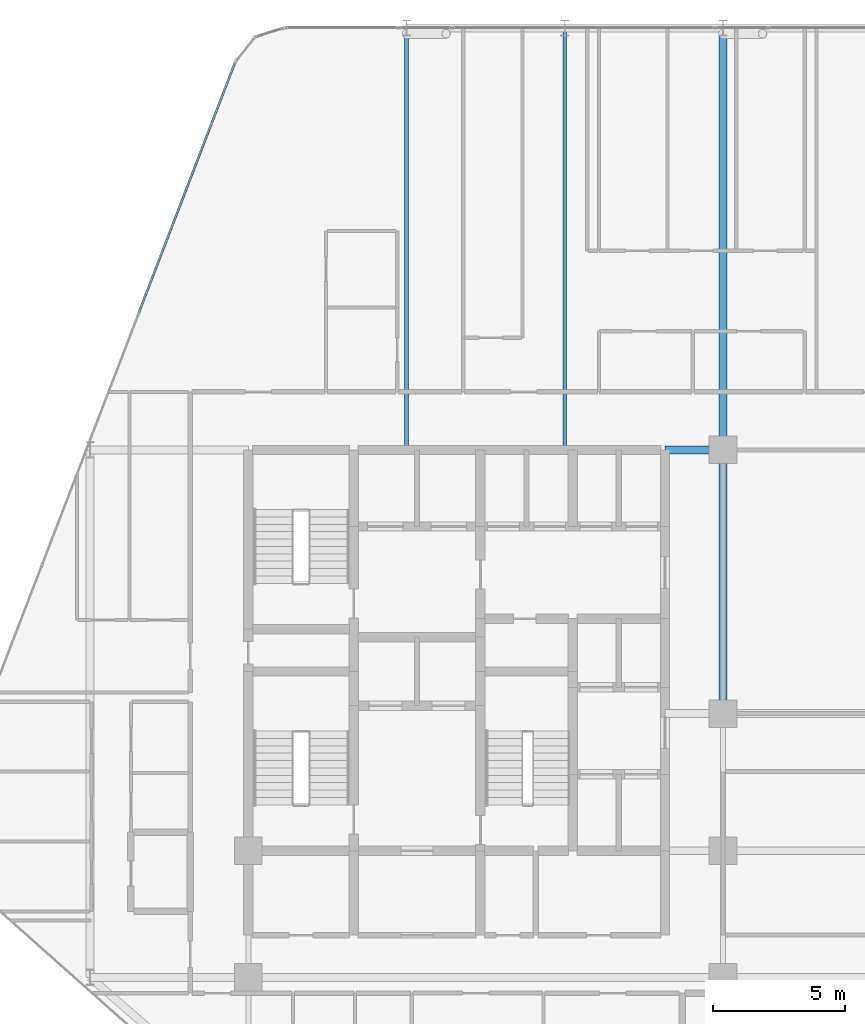
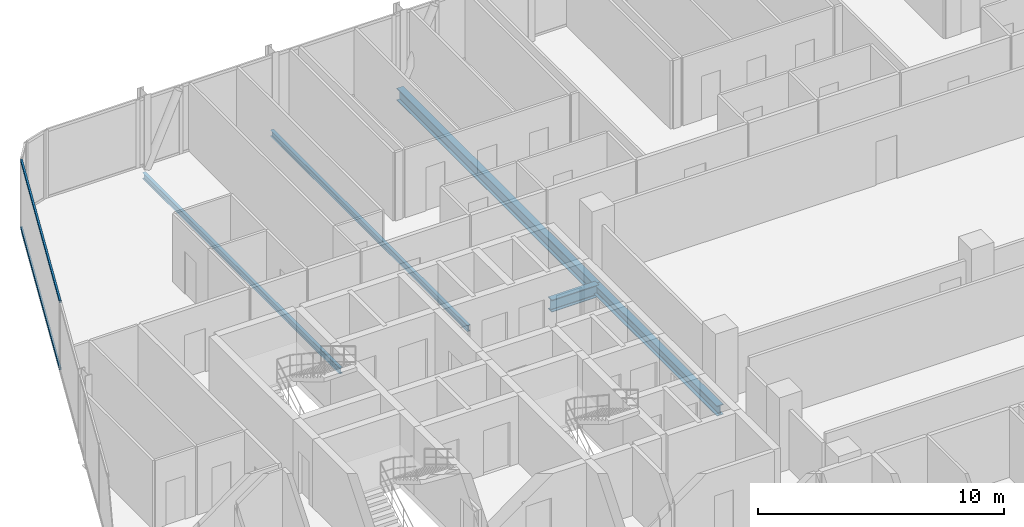
# One storey, part 15 of 29: 5 beams, 2 members, 1 element without a shape of its own.
"""IFC4 building model written with IfcOpenShell, lengths in metres."""

from ifc_helpers import new_model, si_unit, direction, frame, origin, origin_2d, place, context, subcontext, project, spatial, hollow_rectangle, i_section, extrude, material, layer, layer_set, material_profile, profile_set, type_object, element, aggregate, save


model = new_model("IFC4")

# Units and contexts
model_context = context("Model", 3, precision=1e-05, world=origin(), true_north=direction((0.0, 1.0)))
body_context = subcontext(model_context, "Body", "Model", "MODEL_VIEW")
ifc_project = project(units=[si_unit("LENGTHUNIT", "METRE"), si_unit("AREAUNIT", "SQUARE_METRE"), si_unit("VOLUMEUNIT", "CUBIC_METRE"), si_unit("PLANEANGLEUNIT", "RADIAN"), si_unit("MASSUNIT", "GRAM", prefix="KILO")], contexts=[model_context])

# Site, building, storey
site_placement = place(None, origin())
site = spatial("IfcSite", under=ifc_project, at=site_placement, CompositionType="ELEMENT")
building_placement = place(site_placement, origin())
building = spatial("IfcBuilding", under=site, at=building_placement, Name="Keshet Zoharim Tower", CompositionType="ELEMENT")
storey_placement = place(building_placement, frame((0.0, 0.0, 105.699951171875)))
storey = spatial("IfcBuildingStorey", under=building, at=storey_placement, Name="L25", CompositionType="ELEMENT", Elevation=105.699951171875)

# Beams
ifc_material_1 = material(Name="Steel S355", Category="steel")
ifc_material_profile_1 = material_profile(ifc_material_1, i_section(OverallWidth=0.300048828125, OverallDepth=0.60009765625, WebThickness=0.015380859375, FlangeThickness=0.030029296875, FilletRadius=0.027099609375, at=origin_2d()), Name="HEB600")
ifc_profile_set_1 = profile_set([ifc_material_profile_1], Name="Steel S355")
beam_type_1 = type_object("IfcBeamType", Name="BM-CLK-HB600", PredefinedType="BEAM", material=ifc_profile_set_1)
beam_1_placement = place(storey_placement, frame((30.800048828125, 37.89990234375, -0.614990234375), z_axis=(1.0, 0.0, 0.0), x_axis=(0.0, 1.0, 0.0)))
element("IfcBeam", 1, at=beam_1_placement, inside=storey, type_object=beam_type_1, Name="L25 Core Wall Link Girder 03", PredefinedType="BEAM", context=body_context, shape_type="SweptSolid", body=[
    extrude(i_section(OverallWidth=0.300048828125, OverallDepth=0.60009765625, WebThickness=0.015380859375, FlangeThickness=0.030029296875, FilletRadius=0.027099609375, at=origin_2d()), origin(), (0.0, 0.0, 1.0), 2.199951171875),
])
ifc_material_profile_2 = material_profile(ifc_material_1, i_section(OverallWidth=0.14990234375, OverallDepth=0.300048828125, WebThickness=0.007080078125, FlangeThickness=0.0107421875, FilletRadius=0.014892578125, at=origin_2d()), Name="IPE300")
ifc_profile_set_2 = profile_set([ifc_material_profile_2], Name="Steel S355")
beam_type_2 = type_object("IfcBeamType", Name="BM-JST-IP300", PredefinedType="JOIST", material=ifc_profile_set_2)
for number, where, z_axis, x_axis, name in (
    (2, (21.0, 37.89990234375, -0.46484375), (0.0, 1.0, 0.0), (-1.0, 0.0, 0.0), "L25 Secondary Floor Joist J-001"),
    (3, (27.0, 37.89990234375, -0.46484375), (0.0, 1.0, 0.0), (-1.0, 0.0, 0.0), "L25 Secondary Floor Joist J-002"),
):
    element("IfcBeam", number, at=place(storey_placement, frame(where, z_axis=z_axis, x_axis=x_axis)), inside=storey, type_object=beam_type_2, Name=name, PredefinedType="JOIST", context=body_context, shape_type="SweptSolid", body=[
        extrude(i_section(OverallWidth=0.14990234375, OverallDepth=0.300048828125, WebThickness=0.007080078125, FlangeThickness=0.0107421875, FilletRadius=0.014892578125, at=origin_2d()), origin(), (0.0, 0.0, 1.0), 16.0),
    ])
ifc_material_profile_3 = material_profile(ifc_material_1, i_section(OverallWidth=0.300048828125, OverallDepth=0.60009765625, WebThickness=0.015380859375, FlangeThickness=0.030029296875, FilletRadius=0.027099609375, at=origin_2d()), Name="HEB600")
ifc_profile_set_3 = profile_set([ifc_material_profile_3], Name="Steel S355")
beam_type_3 = type_object("IfcBeamType", Name="BM-LNG-HB600", PredefinedType="BEAM", material=ifc_profile_set_3)
beam_2_placement = place(storey_placement, frame((33.0, 37.89990234375, -0.614990234375), z_axis=(0.0, 1.0, 0.0), x_axis=(-1.0, 0.0, 0.0)))
element("IfcBeam", 4, at=beam_2_placement, inside=storey, type_object=beam_type_3, Name="L25 Primary Girder Y-011", PredefinedType="BEAM", context=body_context, shape_type="SweptSolid", body=[
    extrude(i_section(OverallWidth=0.300048828125, OverallDepth=0.60009765625, WebThickness=0.015380859375, FlangeThickness=0.030029296875, FilletRadius=0.027099609375, at=origin_2d()), origin(), (0.0, 0.0, 1.0), 16.0),
])
ifc_material_profile_4 = material_profile(ifc_material_1, i_section(OverallWidth=0.300048828125, OverallDepth=0.5, WebThickness=0.014404296875, FlangeThickness=0.028076171875, FilletRadius=0.027099609375, at=origin_2d()), Name="HEB500")
ifc_profile_set_4 = profile_set([ifc_material_profile_4], Name="Steel S355")
beam_type_4 = type_object("IfcBeamType", Name="BM-MED-HB500", PredefinedType="BEAM", material=ifc_profile_set_4)
beam_3_placement = place(storey_placement, frame((33.0, 27.89990234375, -0.56494140625), z_axis=(0.0, 1.0, 0.0), x_axis=(-1.0, 0.0, 0.0)))
element("IfcBeam", 5, at=beam_3_placement, inside=storey, type_object=beam_type_4, Name="L25 Primary Girder Y-010", PredefinedType="BEAM", context=body_context, shape_type="SweptSolid", body=[
    extrude(i_section(OverallWidth=0.300048828125, OverallDepth=0.5, WebThickness=0.014404296875, FlangeThickness=0.028076171875, FilletRadius=0.027099609375, at=origin_2d()), origin(), (0.0, 0.0, 1.0), 10.0),
])

# Curtain wall, members
ifc_material_2 = material(Name="Aluminium 6063-T6", Category="aluminium")
ifc_layer = layer(ifc_material_2, 0.159912109375)
ifc_layer_set = layer_set([ifc_layer], Name="Aluminium 6063-T6")
curtain_wall_type = type_object("IfcCurtainWallType", Name="CW-SYS-03", PredefinedType="NOTDEFINED", material=ifc_layer_set)
curtain_wall_placement = place(storey_placement, origin())
curtain_wall = element("IfcCurtainWall", 6, at=curtain_wall_placement, inside=storey, type_object=curtain_wall_type, Name="L25 Unitised Curtain Wall 10", PredefinedType="NOTDEFINED")
ifc_material_profile_5 = material_profile(ifc_material_2, hollow_rectangle(XDim=0.080078125, YDim=0.139892578125, WallThickness=0.00390625, at=origin_2d()), Name="TRN-80x140")
ifc_profile_set_5 = profile_set([ifc_material_profile_5], Name="Aluminium 6063-T6")
member_type = type_object("IfcMemberType", Name="CWT-T14", PredefinedType="USERDEFINED", material=ifc_profile_set_5)
member_1_placement = place(storey_placement, frame((10.849609375, 43.10888671875, 0.03515625), z_axis=(0.358985546764, 0.933343118694, 0.0), x_axis=(-0.933343118694, 0.358985546764, 0.0)))
member_1 = element("IfcMember", 7, at=member_1_placement, type_object=member_type, Name="CW-03 transom 3.1", ObjectType="TRANSOM", PredefinedType="USERDEFINED", context=body_context, shape_type="SweptSolid", body=[
    extrude(hollow_rectangle(XDim=0.080078125, YDim=0.139892578125, WallThickness=0.00390625, at=origin_2d()), origin(), (0.0, 0.0, 1.0), 10.118408203125),
])
member_2_placement = place(storey_placement, frame((10.849609375, 43.10888671875, 3.35009765625), z_axis=(0.358985546764, 0.933343118694, 0.0), x_axis=(-0.933343118694, 0.358985546764, 0.0)))
member_2 = element("IfcMember", 8, at=member_2_placement, type_object=member_type, Name="CW-03 transom 3.2", ObjectType="TRANSOM", PredefinedType="USERDEFINED", context=body_context, shape_type="SweptSolid", body=[
    extrude(hollow_rectangle(XDim=0.080078125, YDim=0.139892578125, WallThickness=0.00390625, at=origin_2d()), origin(), (0.0, 0.0, 1.0), 10.118408203125),
])
aggregate(curtain_wall, [member_1, member_2])

save(model, "model.ifc")
